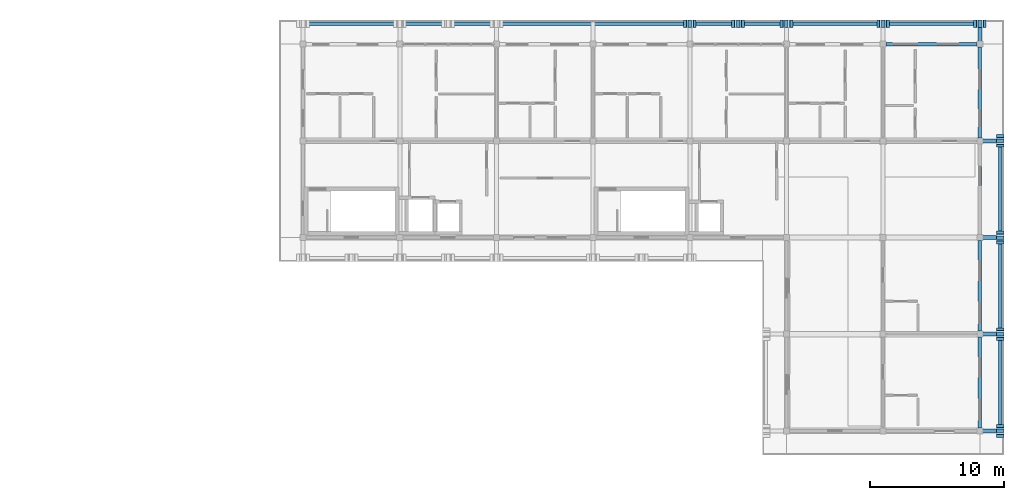
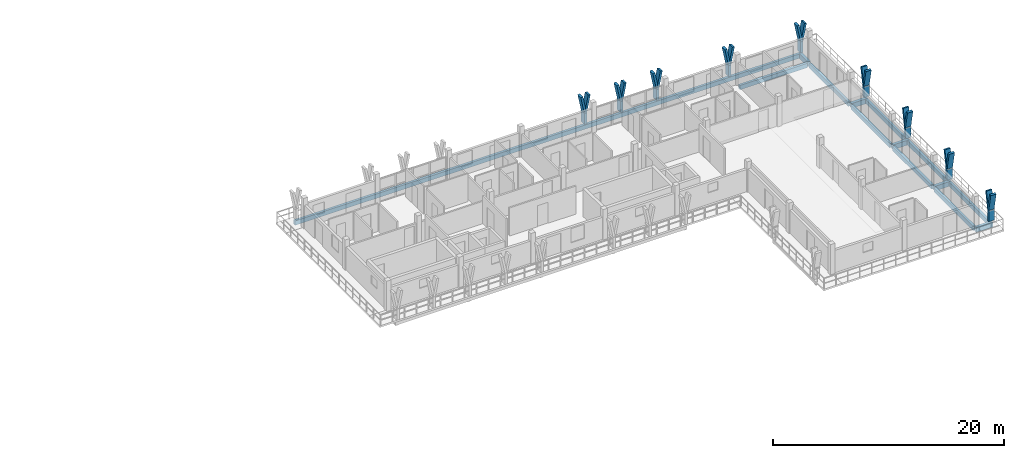
# One storey, part 14 of 32: 27 members, 12 beams.
"""IFC4 building model written with IfcOpenShell, lengths in metres."""

from ifc_helpers import new_model, si_unit, direction, frame, origin, origin_2d, place, context, subcontext, project, spatial, rectangle, extrude, material, material_profile, profile_set, type_object, element, save


model = new_model("IFC4")

# Units and contexts
model_context = context("Model", 3, precision=1e-05, world=origin(), true_north=direction((0.0, 1.0)))
body_context = subcontext(model_context, "Body", "Model", "MODEL_VIEW")
ifc_project = project(units=[si_unit("LENGTHUNIT", "METRE"), si_unit("AREAUNIT", "SQUARE_METRE"), si_unit("VOLUMEUNIT", "CUBIC_METRE"), si_unit("PLANEANGLEUNIT", "RADIAN"), si_unit("MASSUNIT", "GRAM", prefix="KILO")], contexts=[model_context])

# Site, building, storey
site_placement = place(None, origin())
site = spatial("IfcSite", under=ifc_project, at=site_placement, CompositionType="ELEMENT")
building_placement = place(site_placement, origin())
building = spatial("IfcBuilding", under=site, at=building_placement, Name="Suanplinth Sawtooth Commons", CompositionType="ELEMENT")
storey_placement = place(building_placement, frame((0.0, 0.0, 41.199951171875)))
storey = spatial("IfcBuildingStorey", under=building, at=storey_placement, Name="L12", CompositionType="ELEMENT", Elevation=41.199951171875)

# Beams
ifc_material_1 = material(Name="Precast concrete C40/50", Category="concrete")
ifc_material_profile_1 = material_profile(ifc_material_1, rectangle(XDim=0.300048828125, YDim=0.5, at=origin_2d()), Name="PC-BM 300x500")
ifc_profile_set_1 = profile_set([ifc_material_profile_1], Name="Precast concrete C40/50")
beam_type_1 = type_object("IfcBeamType", Name="B-07", PredefinedType="BEAM", material=ifc_profile_set_1)
for number, where, z_axis, x_axis, name in (
    (1, (187.199951171875, 122.39990234375, -0.429931640625), (0.0, 1.0, 0.0), (-1.0, 0.0, 0.0), "Balcony Outrigger L12-B-N-26"),
    (2, (187.199951171875, 93.60009765625, -0.429931640625), (1.0, 0.0, 0.0), (0.0, 1.0, 0.0), "Balcony Outrigger L12-B-E-13"),
    (3, (187.199951171875, 100.800048828125, -0.429931640625), (1.0, 0.0, 0.0), (0.0, 1.0, 0.0), "Balcony Outrigger L12-B-E-14"),
    (4, (187.199951171875, 108.0, -0.429931640625), (1.0, 0.0, 0.0), (0.0, 1.0, 0.0), "Balcony Outrigger L12-B-E-15"),
    (5, (187.199951171875, 115.199951171875, -0.429931640625), (1.0, 0.0, 0.0), (0.0, 1.0, 0.0), "Balcony Outrigger L12-B-E-16"),
):
    element("IfcBeam", number, at=place(storey_placement, frame(where, z_axis=z_axis, x_axis=x_axis)), inside=storey, type_object=beam_type_1, Name=name, PredefinedType="BEAM", context=body_context, shape_type="SweptSolid", body=[
        extrude(rectangle(XDim=0.300048828125, YDim=0.5, at=origin_2d()), origin(), (0.0, 0.0, 1.0), 1.64013671875),
    ])
ifc_material_profile_2 = material_profile(ifc_material_1, rectangle(XDim=0.25, YDim=0.449951171875, at=origin_2d()), Name="PC-SP 250x450")
ifc_profile_set_2 = profile_set([ifc_material_profile_2], Name="Precast concrete C40/50")
beam_type_2 = type_object("IfcBeamType", Name="B-09", PredefinedType="SPANDREL", material=ifc_profile_set_2)
for number, where, z_axis, x_axis, name in (
    (6, (180.22509765625, 122.39990234375, -0.43505859375), (1.0, 0.0, 0.0), (0.0, 1.0, 0.0), "BMX-L12-B-25-17"),
    (7, (187.199951171875, 93.824951171875, -0.43505859375), (0.0, 1.0, 0.0), (-1.0, 0.0, 0.0), "BMY-L12-B-26-13"),
    (8, (187.199951171875, 101.02490234375, -0.43505859375), (0.0, 1.0, 0.0), (-1.0, 0.0, 0.0), "BMY-L12-B-26-14"),
    (9, (187.199951171875, 108.22509765625, -0.43505859375), (0.0, 1.0, 0.0), (-1.0, 0.0, 0.0), "BMY-L12-B-26-15"),
    (10, (187.199951171875, 115.425048828125, -0.43505859375), (0.0, 1.0, 0.0), (-1.0, 0.0, 0.0), "BMY-L12-B-26-16"),
):
    element("IfcBeam", number, at=place(storey_placement, frame(where, z_axis=z_axis, x_axis=x_axis)), inside=storey, type_object=beam_type_2, Name=name, PredefinedType="SPANDREL", context=body_context, shape_type="SweptSolid", body=[
        extrude(rectangle(XDim=0.25, YDim=0.449951171875, at=origin_2d()), origin(), (0.0, 0.0, 1.0), 6.75),
    ])
beam_1_placement = place(storey_placement, frame((136.64990234375, 123.919921875, -0.405029296875), z_axis=(1.0, 0.0, 0.0), x_axis=(0.0, 1.0, 0.0)))
element("IfcBeam", 11, at=beam_1_placement, inside=storey, type_object=beam_type_2, Name="Balcony Edge Fascia L12-B-N", PredefinedType="SPANDREL", context=body_context, shape_type="SweptSolid", body=[
    extrude(rectangle(XDim=0.25, YDim=0.449951171875, at=origin_2d()), origin(), (0.0, 0.0, 1.0), 50.7001953125),
])
beam_2_placement = place(storey_placement, frame((188.719970703125, 93.449951171875, -0.405029296875), z_axis=(0.0, 1.0, 0.0), x_axis=(-1.0, 0.0, 0.0)))
element("IfcBeam", 12, at=beam_2_placement, inside=storey, type_object=beam_type_2, Name="Balcony Edge Fascia L12-B-E", PredefinedType="SPANDREL", context=body_context, shape_type="SweptSolid", body=[
    extrude(rectangle(XDim=0.25, YDim=0.449951171875, at=origin_2d()), origin(), (0.0, 0.0, 1.0), 21.900146484375),
])

# Members
ifc_material_2 = material(Name="Pigmented precast concrete C40/50", Category="concrete")
ifc_material_profile_3 = material_profile(ifc_material_2, rectangle(XDim=0.260009765625, YDim=0.550048828125, at=origin_2d()), Name="PC-FIN 260x550")
ifc_profile_set_3 = profile_set([ifc_material_profile_3], Name="Pigmented precast concrete C40/50")
member_type_1 = type_object("IfcMemberType", Name="M-09", PredefinedType="USERDEFINED", material=ifc_profile_set_3)
for number, where, z_axis, x_axis, name in (
    (13, (165.60009765625, 123.919921875, 0.0), (0.0, 0.0, 1.0), (1.0, 0.0, 0.0), "Y-Blade Stem L12-B-N-05"),
    (14, (169.199951171875, 123.919921875, 0.0), (0.0, 0.0, 1.0), (1.0, 0.0, 0.0), "Y-Blade Stem L12-B-N-06"),
    (15, (172.800048828125, 123.919921875, 0.0), (0.0, 0.0, 1.0), (1.0, 0.0, 0.0), "Y-Blade Stem L12-B-N-07"),
    (16, (180.0, 123.919921875, 0.0), (0.0, 0.0, 1.0), (1.0, 0.0, 0.0), "Y-Blade Stem L12-B-N-08"),
    (17, (187.199951171875, 123.919921875, 0.0), (0.0, 0.0, 1.0), (1.0, 0.0, 0.0), "Y-Blade Stem L12-B-N-09"),
    (18, (188.719970703125, 93.60009765625, 0.0), (0.0, 0.0, 1.0), (0.0, 1.0, 0.0), "Y-Blade Stem L12-B-E-10"),
    (19, (188.719970703125, 100.800048828125, 0.0), (0.0, 0.0, 1.0), (0.0, 1.0, 0.0), "Y-Blade Stem L12-B-E-11"),
    (20, (188.719970703125, 108.0, 0.0), (0.0, 0.0, 1.0), (0.0, 1.0, 0.0), "Y-Blade Stem L12-B-E-12"),
    (21, (188.719970703125, 115.199951171875, 0.0), (0.0, 0.0, 1.0), (0.0, 1.0, 0.0), "Y-Blade Stem L12-B-E-13"),
):
    element("IfcMember", number, at=place(storey_placement, frame(where, z_axis=z_axis, x_axis=x_axis)), inside=storey, type_object=member_type_1, Name=name, ObjectType="SHADING FIN", PredefinedType="USERDEFINED", context=body_context, shape_type="SweptSolid", body=[
        extrude(rectangle(XDim=0.260009765625, YDim=0.550048828125, at=origin_2d()), origin(), (0.0, 0.0, 1.0), 1.170166015625),
    ])
ifc_material_profile_4 = material_profile(ifc_material_2, rectangle(XDim=0.219970703125, YDim=0.550048828125, at=origin_2d()), Name="PC-FIN 220x550")
ifc_profile_set_4 = profile_set([ifc_material_profile_4], Name="Pigmented precast concrete C40/50")
member_type_2 = type_object("IfcMemberType", Name="M-10", PredefinedType="USERDEFINED", material=ifc_profile_set_4)
member_1_placement = place(storey_placement, frame((165.60009765625, 123.919921875, 1.130126953125), z_axis=(-0.196341326472, 0.0, 0.980535610531), x_axis=(0.980535610531, 0.0, 0.196341326472)))
element("IfcMember", 22, at=member_1_placement, inside=storey, type_object=member_type_2, Name="Y-Blade Arm L L12-B-N-05", ObjectType="SHADING FIN", PredefinedType="USERDEFINED", context=body_context, shape_type="SweptSolid", body=[
    extrude(rectangle(XDim=0.219970703125, YDim=0.550048828125, at=origin_2d()), origin(), (0.0, 0.0, 1.0), 1.87646484375),
])
for number, where, z_axis, x_axis, name in (
    (23, (165.60009765625, 123.919921875, 1.130126953125), (0.196216224008, 0.0, 0.980560652604), (-0.980560652604, 0.0, 0.196216224008), "Y-Blade Arm R L12-B-N-05"),
    (24, (169.199951171875, 123.919921875, 1.130126953125), (-0.196216224008, 0.0, 0.980560652604), (0.980560652604, 0.0, 0.196216224008), "Y-Blade Arm L L12-B-N-06"),
    (25, (169.199951171875, 123.919921875, 1.130126953125), (0.196216224008, 0.0, 0.980560652604), (-0.980560652604, 0.0, 0.196216224008), "Y-Blade Arm R L12-B-N-06"),
    (26, (172.800048828125, 123.919921875, 1.130126953125), (-0.196216224008, 0.0, 0.980560652604), (0.980560652604, 0.0, 0.196216224008), "Y-Blade Arm L L12-B-N-07"),
    (27, (172.800048828125, 123.919921875, 1.130126953125), (0.196216224008, 0.0, 0.980560652604), (-0.980560652604, 0.0, 0.196216224008), "Y-Blade Arm R L12-B-N-07"),
    (28, (180.0, 123.919921875, 1.130126953125), (-0.196216224008, 0.0, 0.980560652604), (0.980560652604, 0.0, 0.196216224008), "Y-Blade Arm L L12-B-N-08"),
    (29, (180.0, 123.919921875, 1.130126953125), (0.196216224008, 0.0, 0.980560652604), (-0.980560652604, 0.0, 0.196216224008), "Y-Blade Arm R L12-B-N-08"),
    (30, (187.199951171875, 123.919921875, 1.130126953125), (-0.196216224008, 0.0, 0.980560652604), (0.980560652604, 0.0, 0.196216224008), "Y-Blade Arm L L12-B-N-09"),
    (31, (187.199951171875, 123.919921875, 1.130126953125), (0.196216224008, 0.0, 0.980560652604), (-0.980560652604, 0.0, 0.196216224008), "Y-Blade Arm R L12-B-N-09"),
):
    element("IfcMember", number, at=place(storey_placement, frame(where, z_axis=z_axis, x_axis=x_axis)), inside=storey, type_object=member_type_2, Name=name, ObjectType="SHADING FIN", PredefinedType="USERDEFINED", context=body_context, shape_type="SweptSolid", body=[
        extrude(rectangle(XDim=0.219970703125, YDim=0.550048828125, at=origin_2d()), origin(), (0.0, 0.0, 1.0), 1.876220703125),
    ])
member_2_placement = place(storey_placement, frame((188.719970703125, 93.60009765625, 1.130126953125), z_axis=(0.0, -0.196341326472, 0.980535610531), x_axis=(0.0, 0.980535610531, 0.196341326472)))
element("IfcMember", 32, at=member_2_placement, inside=storey, type_object=member_type_2, Name="Y-Blade Arm L L12-B-E-10", ObjectType="SHADING FIN", PredefinedType="USERDEFINED", context=body_context, shape_type="SweptSolid", body=[
    extrude(rectangle(XDim=0.219970703125, YDim=0.550048828125, at=origin_2d()), origin(), (0.0, 0.0, 1.0), 1.87646484375),
])
for number, where, z_axis, x_axis, name in (
    (33, (188.719970703125, 93.60009765625, 1.130126953125), (0.0, 0.196216224008, 0.980560652604), (0.0, -0.980560652604, 0.196216224008), "Y-Blade Arm R L12-B-E-10"),
    (34, (188.719970703125, 100.800048828125, 1.130126953125), (0.0, -0.196216224008, 0.980560652604), (0.0, 0.980560652604, 0.196216224008), "Y-Blade Arm L L12-B-E-11"),
    (35, (188.719970703125, 100.800048828125, 1.130126953125), (0.0, 0.196216224008, 0.980560652604), (0.0, -0.980560652604, 0.196216224008), "Y-Blade Arm R L12-B-E-11"),
    (36, (188.719970703125, 108.0, 1.130126953125), (0.0, -0.196216224008, 0.980560652604), (0.0, 0.980560652604, 0.196216224008), "Y-Blade Arm L L12-B-E-12"),
    (37, (188.719970703125, 108.0, 1.130126953125), (0.0, 0.196216224008, 0.980560652604), (0.0, -0.980560652604, 0.196216224008), "Y-Blade Arm R L12-B-E-12"),
    (38, (188.719970703125, 115.199951171875, 1.130126953125), (0.0, -0.196216224008, 0.980560652604), (0.0, 0.980560652604, 0.196216224008), "Y-Blade Arm L L12-B-E-13"),
    (39, (188.719970703125, 115.199951171875, 1.130126953125), (0.0, 0.196216224008, 0.980560652604), (0.0, -0.980560652604, 0.196216224008), "Y-Blade Arm R L12-B-E-13"),
):
    element("IfcMember", number, at=place(storey_placement, frame(where, z_axis=z_axis, x_axis=x_axis)), inside=storey, type_object=member_type_2, Name=name, ObjectType="SHADING FIN", PredefinedType="USERDEFINED", context=body_context, shape_type="SweptSolid", body=[
        extrude(rectangle(XDim=0.219970703125, YDim=0.550048828125, at=origin_2d()), origin(), (0.0, 0.0, 1.0), 1.876220703125),
    ])

save(model, "model.ifc")
